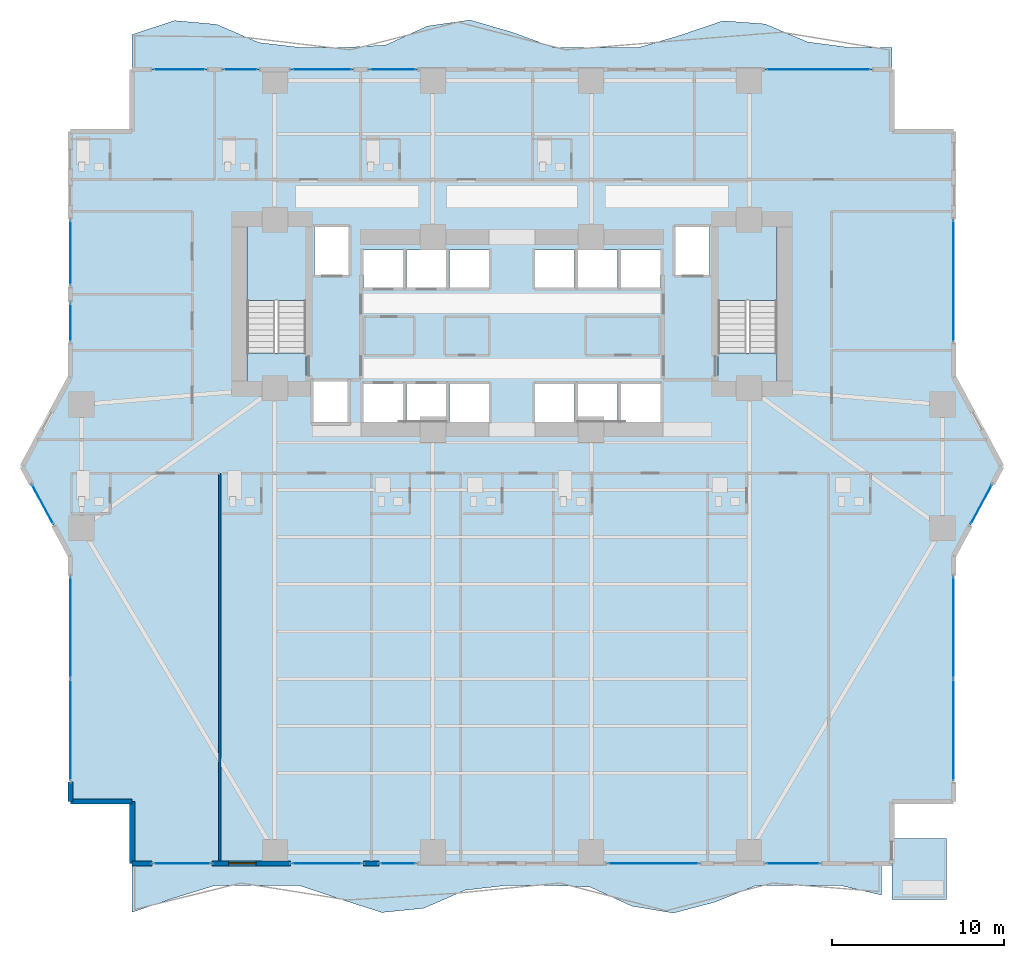
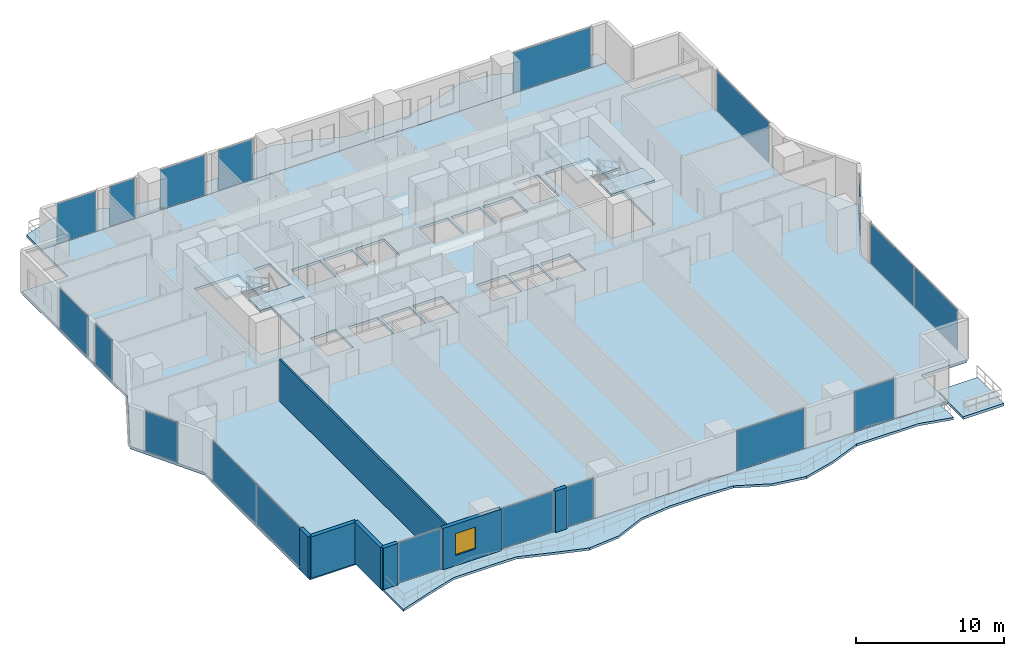
# One storey, part 17 of 29: 19 plates, 8 slabs, 7 walls, 1 window, 1 opening, 19 elements without a shape of their own.
"""IFC4 building model written with IfcOpenShell, lengths in metres."""

import ifcopenshell
import ifcopenshell.guid

model = None  # the IFC model being written
_history = None  # IfcOwnerHistory: only IFC2X3 demands one
_inside = {}  # id of a spatial element -> (the spatial element, [elements in it])
_under = {}  # id of a project, library or spatial element -> (it, [spatial elements below it])
_declared = {}  # id of a project -> (the project, [libraries it declares])
_typed = {}  # id of a type object -> (the type object, [elements of that type])
_made_of = {}  # id of a material, layer set ... -> (it, [elements and type objects made of it])


def new_model(schema):
    """Start an empty IFC model of exactly this schema.

    Asked for "IFC4X3", IfcOpenShell would pick the latest addendum, in which some entities
    have other attributes; the version numbers below select the first issue.
    IFC2X3 requires an IfcOwnerHistory on every rooted entity: one is made here for all.
    """
    global model, _history
    if schema == "IFC4X3":
        model = ifcopenshell.file(schema_version=(4, 3, 0, 0))
    else:
        model = ifcopenshell.file(schema=schema)
    _inside.clear()
    _under.clear()
    _declared.clear()
    _typed.clear()
    _made_of.clear()
    _history = None
    if model.schema == "IFC2X3":
        org = make("IfcOrganization", Name="unknown")
        user = make(
            "IfcPersonAndOrganization",
            ThePerson=make("IfcPerson", FamilyName="unknown"),
            TheOrganization=org,
        )
        app = make(
            "IfcApplication",
            ApplicationDeveloper=org,
            Version="unknown",
            ApplicationFullName="unknown",
            ApplicationIdentifier="unknown",
        )
        _history = make(
            "IfcOwnerHistory",
            OwningUser=user,
            OwningApplication=app,
            ChangeAction="ADDED",
            CreationDate=0,
        )
    return model


def make(cls, **values):
    """One entity of the class cls with the attributes given. An attribute that is None is left unset."""
    return model.create_entity(
        cls, **{name: value for name, value in values.items() if value is not None}
    )


def rooted(cls, **values):
    """An entity with a GlobalId (a new one), such as an element, a storey or a relation."""
    return make(cls, GlobalId=ifcopenshell.guid.new(), OwnerHistory=_history, **values)


def si_unit(unit_type, name, prefix=None):
    """IfcSIUnit, for example si_unit("LENGTHUNIT", "METRE", prefix="MILLI")."""
    return make("IfcSIUnit", UnitType=unit_type, Prefix=prefix, Name=name)


def assignment(units):
    """IfcUnitAssignment: the units of a project."""
    return None if units is None else make("IfcUnitAssignment", Units=units)


def point(xyz):
    """IfcCartesianPoint."""
    return None if xyz is None else make("IfcCartesianPoint", Coordinates=xyz)


def direction(xyz):
    """IfcDirection."""
    return None if xyz is None else make("IfcDirection", DirectionRatios=xyz)


def frame(location, z_axis=None, x_axis=None):
    """IfcAxis2Placement3D, a coordinate frame: its origin and axes. An axis left out is left unset."""
    return make(
        "IfcAxis2Placement3D",
        Location=point(location),
        Axis=direction(z_axis),
        RefDirection=direction(x_axis),
    )


def frame_2d(location, x_axis=None):
    """IfcAxis2Placement2D, a coordinate frame in the plane: its origin and x axis."""
    return make(
        "IfcAxis2Placement2D", Location=point(location), RefDirection=direction(x_axis)
    )


def origin():
    """The frame at (0, 0, 0) with its axes left unset."""
    return frame((0.0, 0.0, 0.0))


def origin_2d():
    """The frame at (0, 0) in the plane with its x axis left unset."""
    return frame_2d((0.0, 0.0))


def place(relative_to, where):
    """IfcLocalPlacement: puts the frame where relative to a parent placement (None: the world)."""
    return make(
        "IfcLocalPlacement", PlacementRelTo=relative_to, RelativePlacement=where
    )


def context(
    kind, dimensions, precision=None, world=None, true_north=None, identifier=None
):
    """IfcGeometricRepresentationContext, for example the 3D "Model" context."""
    return make(
        "IfcGeometricRepresentationContext",
        ContextIdentifier=identifier,
        ContextType=kind,
        CoordinateSpaceDimension=dimensions,
        Precision=precision,
        WorldCoordinateSystem=world,
        TrueNorth=true_north,
    )


def subcontext(parent, identifier, kind, view, scale=None):
    """IfcGeometricRepresentationSubContext, for example "Body" below "Model"."""
    return make(
        "IfcGeometricRepresentationSubContext",
        ContextIdentifier=identifier,
        ContextType=kind,
        ParentContext=parent,
        TargetScale=scale,
        TargetView=view,
    )


def project(units=None, contexts=None):
    """IfcProject with its units and contexts."""
    return rooted(
        "IfcProject",
        Name="project",
        RepresentationContexts=contexts,
        UnitsInContext=assignment(units),
    )


def spatial(cls, under=None, at=None, **own):
    """A site, building, storey or space (cls), placed at a placement, below another one or the project."""
    s = rooted(cls, ObjectPlacement=at, **own)
    if under is not None:
        _under.setdefault(under.id(), (under, []))[1].append(s)
    return s


def polyline(points):
    """IfcPolyline through the points."""
    return make("IfcPolyline", Points=[point(p) for p in points])


def profile(cls, at=None, kind="AREA", **sizes):
    """A parametric profile (cls). Its sizes go by their IFC names, for example OverallWidth=200.0."""
    return make(cls, ProfileType=kind, Position=at, **sizes)


def rectangle(**sizes):
    """IfcRectangleProfileDef."""
    return profile("IfcRectangleProfileDef", **sizes)


def outline(outer, holes=None, kind="AREA"):
    """IfcArbitraryClosedProfileDef: a profile drawn as a closed curve; with holes, ...WithVoids."""
    if holes is None:
        return make("IfcArbitraryClosedProfileDef", ProfileType=kind, OuterCurve=outer)
    return make(
        "IfcArbitraryProfileDefWithVoids",
        ProfileType=kind,
        OuterCurve=outer,
        InnerCurves=holes,
    )


def extrude(swept, where, along, depth):
    """IfcExtrudedAreaSolid: the profile swept, set in the frame where, extruded along a direction by depth."""
    return make(
        "IfcExtrudedAreaSolid",
        SweptArea=swept,
        Position=where,
        ExtrudedDirection=direction(along),
        Depth=depth,
    )


def shape(context_of_items, identifier, shape_type, items):
    """IfcShapeRepresentation: the items that make up one representation, for example the "Body"."""
    return make(
        "IfcShapeRepresentation",
        ContextOfItems=context_of_items,
        RepresentationIdentifier=identifier,
        RepresentationType=shape_type,
        Items=items,
    )


def material(Name=None, Category=None):
    """IfcMaterial."""
    return make("IfcMaterial", Name=Name, Category=Category)


def layer(
    of_material, thickness, ventilated=None, Name=None, Category=None, Priority=None
):
    """IfcMaterialLayer: one layer of a wall or slab, of a material (None: an air gap)."""
    return make(
        "IfcMaterialLayer",
        Material=of_material,
        LayerThickness=thickness,
        IsVentilated=ventilated,
        Name=Name,
        Category=Category,
        Priority=Priority,
    )


def layer_set(layers, Name=None):
    """IfcMaterialLayerSet."""
    return make("IfcMaterialLayerSet", MaterialLayers=layers, LayerSetName=Name)


def made_of(thing, what):
    """Note that an element or type object is made of a material, layer set ...; save() writes the relation."""
    if what is not None:
        _made_of.setdefault(what.id(), (what, []))[1].append(thing)
    return thing


def type_object(cls, material=None, **own):
    """A type object (cls), such as IfcWallType, which elements share."""
    return made_of(rooted(cls, **own), material)


def element(
    cls,
    number,
    at=None,
    inside=None,
    cuts=None,
    type_object=None,
    material=None,
    context=None,
    identifier="Body",
    shape_type=None,
    held_by="IfcProductDefinitionShape",
    body=None,
    shapes=None,
    **own,
):
    """One element of the class cls, such as IfcWall. Its Tag is "e" and its number.

    at: its placement. inside: the storey or other place that contains it. cuts: it is an
    opening in that element (IfcRelVoidsElement). A single representation is given by context,
    identifier, shape_type and body (its items); several are given by shapes. held_by: the class
    of the entity that holds the representations. save() writes the other relations.
    """
    e = rooted(cls, Tag="e%d" % number, ObjectPlacement=at, **own)
    if body is not None:
        shapes = [shape(context, identifier, shape_type, body)]
    if shapes is not None:
        e.Representation = make(held_by, Representations=shapes)
    if inside is not None:
        _inside.setdefault(inside.id(), (inside, []))[1].append(e)
    if cuts is not None:
        rooted(
            "IfcRelVoidsElement", RelatingBuildingElement=cuts, RelatedOpeningElement=e
        )
    if type_object is not None:
        _typed.setdefault(type_object.id(), (type_object, []))[1].append(e)
    return made_of(e, material)


def fill(opening, filler):
    """IfcRelFillsElement: the door or window that sits in an opening."""
    return rooted(
        "IfcRelFillsElement",
        RelatingOpeningElement=opening,
        RelatedBuildingElement=filler,
    )


def aggregate(whole, parts):
    """IfcRelAggregates: a whole, such as a stair, and the parts it consists of."""
    return rooted("IfcRelAggregates", RelatingObject=whole, RelatedObjects=parts)


def save(model, path):
    """Write the relations noted so far, then the file.

    IfcRelAggregates (storeys below a building ...), IfcRelContainedInSpatialStructure (elements
    in a storey), IfcRelDefinesByType, IfcRelAssociatesMaterial and IfcRelDeclares: one each for
    every whole, place, type object, material and project.
    """
    for whole, parts in _under.values():
        aggregate(whole, parts)
    for where, things in _inside.values():
        rooted(
            "IfcRelContainedInSpatialStructure",
            RelatedElements=things,
            RelatingStructure=where,
        )
    for kind, things in _typed.values():
        rooted("IfcRelDefinesByType", RelatedObjects=things, RelatingType=kind)
    for what, things in _made_of.values():
        rooted("IfcRelAssociatesMaterial", RelatedObjects=things, RelatingMaterial=what)
    for by, libraries in _declared.values():
        rooted("IfcRelDeclares", RelatingContext=by, RelatedDefinitions=libraries)
    model.write(path)


model = new_model("IFC4")

# Units and contexts
model_context = context("Model", 3, precision=1e-05, world=origin(), true_north=direction((0.0, 1.0)))
body_context = subcontext(model_context, "Body", "Model", "MODEL_VIEW")
ifc_project = project(units=[si_unit("LENGTHUNIT", "METRE"), si_unit("AREAUNIT", "SQUARE_METRE"), si_unit("VOLUMEUNIT", "CUBIC_METRE"), si_unit("PLANEANGLEUNIT", "RADIAN"), si_unit("MASSUNIT", "GRAM", prefix="KILO")], contexts=[model_context])

# Site, building, storey
site_placement = place(None, origin())
site = spatial("IfcSite", under=ifc_project, at=site_placement, CompositionType="ELEMENT")
building_placement = place(site_placement, origin())
building = spatial("IfcBuilding", under=site, at=building_placement, Name="Zuhayl Quay Hotel", CompositionType="ELEMENT")
storey_placement = place(building_placement, frame((0.0, 0.0, 42.199951171875)))
storey = spatial("IfcBuildingStorey", under=building, at=storey_placement, Name="L09", CompositionType="ELEMENT", Elevation=42.199951171875)

# Curtain wall, plates
ifc_material_1 = material(Name="Anodised Aluminium 6063-T6", Category="aluminium")
ifc_layer_1 = layer(ifc_material_1, 0.18994140625, Name="Anodised Aluminium 6063-T6", Category="aluminium")
ifc_layer_set_1 = layer_set([ifc_layer_1], Name="Anodised Aluminium 6063-T6")
curtain_wall_type = type_object("IfcCurtainWallType", Name="CW_SYS_Z1", PredefinedType="USERDEFINED", material=ifc_layer_set_1)
curtain_wall_1_placement = place(storey_placement, origin())
curtain_wall_1 = element("IfcCurtainWall", 1, at=curtain_wall_1_placement, inside=storey, type_object=curtain_wall_type, Name="L09 Curtain Wall ENV_L09_E02_CW1", ObjectType="UNITISED CURTAIN WALL", PredefinedType="USERDEFINED")
ifc_material_2 = material(Name="Dark Ceramic-Fritted Solar Glass", Category="glass")
ifc_layer_2 = layer(ifc_material_2, 0.035888671875, Name="Dark Ceramic-Fritted Solar Glass", Category="glass")
ifc_layer_set_2 = layer_set([ifc_layer_2], Name="Dark Ceramic-Fritted Solar Glass")
plate_type = type_object("IfcPlateType", Name="PN_DARK_FRIT_Z1", PredefinedType="CURTAIN_PANEL", material=ifc_layer_set_2)
plate_1_placement = place(storey_placement, frame((-25.699951171875, -15.331298828125, 0.06005859375), z_axis=(0.0, 0.0, 1.0), x_axis=(0.0, 1.0, 0.0)))
plate_1 = element("IfcPlate", 2, at=plate_1_placement, type_object=plate_type, Name="CW-Z1 panel 1.1", PredefinedType="CURTAIN_PANEL", context=body_context, shape_type="SweptSolid", body=[
    extrude(rectangle(XDim=5.887451171875, YDim=0.035888671875, at=origin_2d()), origin(), (0.0, 0.0, 1.0), 3.31005859375),
])
plate_2_placement = place(storey_placement, frame((-25.699951171875, -9.36865234375, 0.06005859375), z_axis=(0.0, 0.0, 1.0), x_axis=(0.0, 1.0, 0.0)))
plate_2 = element("IfcPlate", 3, at=plate_2_placement, type_object=plate_type, Name="CW-Z1 panel 2.1", PredefinedType="CURTAIN_PANEL", context=body_context, shape_type="SweptSolid", body=[
    extrude(rectangle(XDim=5.887451171875, YDim=0.035888671875, at=origin_2d()), origin(), (0.0, 0.0, 1.0), 3.31005859375),
])
aggregate(curtain_wall_1, [plate_1, plate_2])

# Curtain wall, plate
curtain_wall_2_placement = place(storey_placement, origin())
curtain_wall_2 = element("IfcCurtainWall", 4, at=curtain_wall_2_placement, inside=storey, type_object=curtain_wall_type, Name="L09 Curtain Wall ENV_L09_E03_CW1", ObjectType="UNITISED CURTAIN WALL", PredefinedType="USERDEFINED")
plate_3_placement = place(storey_placement, frame((-27.306396484375, -2.216796875, 0.06005859375), z_axis=(0.0, 0.0, 1.0), x_axis=(-0.474091102632, 0.880475795468, 0.0)))
plate_3 = element("IfcPlate", 5, at=plate_3_placement, type_object=plate_type, Name="CW-Z1 panel 1.1", PredefinedType="CURTAIN_PANEL", context=body_context, shape_type="SweptSolid", body=[
    extrude(rectangle(XDim=2.58544921875, YDim=0.035888671875, at=origin_2d()), origin(), (0.0, 0.0, 1.0), 3.31005859375),
])
aggregate(curtain_wall_2, [plate_3])

curtain_wall_3_placement = place(storey_placement, origin())
curtain_wall_3 = element("IfcCurtainWall", 6, at=curtain_wall_3_placement, inside=storey, type_object=curtain_wall_type, Name="L09 Curtain Wall ENV_L09_E05_CW1", ObjectType="UNITISED CURTAIN WALL", PredefinedType="USERDEFINED")
plate_4_placement = place(storey_placement, frame((-25.699951171875, 8.385009765625, 0.06005859375), z_axis=(0.0, 0.0, 1.0), x_axis=(0.0, 1.0, 0.0)))
plate_4 = element("IfcPlate", 7, at=plate_4_placement, type_object=plate_type, Name="CW-Z1 panel 1.1", PredefinedType="CURTAIN_PANEL", context=body_context, shape_type="SweptSolid", body=[
    extrude(rectangle(XDim=2.219970703125, YDim=0.035888671875, at=origin_2d()), origin(), (0.0, 0.0, 1.0), 3.31005859375),
])
aggregate(curtain_wall_3, [plate_4])

curtain_wall_4_placement = place(storey_placement, origin())
curtain_wall_4 = element("IfcCurtainWall", 8, at=curtain_wall_4_placement, inside=storey, type_object=curtain_wall_type, Name="L09 Curtain Wall ENV_L09_E05_CW2", ObjectType="UNITISED CURTAIN WALL", PredefinedType="USERDEFINED")
plate_5_placement = place(storey_placement, frame((-25.699951171875, 12.43505859375, 0.06005859375), z_axis=(0.0, 0.0, 1.0), x_axis=(0.0, 1.0, 0.0)))
plate_5 = element("IfcPlate", 9, at=plate_5_placement, type_object=plate_type, Name="CW-Z1 panel 1.1", PredefinedType="CURTAIN_PANEL", context=body_context, shape_type="SweptSolid", body=[
    extrude(rectangle(XDim=3.780029296875, YDim=0.035888671875, at=origin_2d()), origin(), (0.0, 0.0, 1.0), 3.31005859375),
])
aggregate(curtain_wall_4, [plate_5])

curtain_wall_5_placement = place(storey_placement, origin())
curtain_wall_5 = element("IfcCurtainWall", 10, at=curtain_wall_5_placement, inside=storey, type_object=curtain_wall_type, Name="L09 Curtain Wall ENV_L09_N_CW1", ObjectType="UNITISED CURTAIN WALL", PredefinedType="USERDEFINED")
plate_6_placement = place(storey_placement, frame((-19.35009765625, 23.10009765625, 0.06005859375), z_axis=(0.0, 0.0, 1.0), x_axis=(1.0, 0.0, 0.0)))
plate_6 = element("IfcPlate", 11, at=plate_6_placement, type_object=plate_type, Name="CW-Z1 panel 1.1", PredefinedType="CURTAIN_PANEL", context=body_context, shape_type="SweptSolid", body=[
    extrude(rectangle(XDim=3.050048828125, YDim=0.035888671875, at=origin_2d()), origin(), (0.0, 0.0, 1.0), 3.31005859375),
])
aggregate(curtain_wall_5, [plate_6])

curtain_wall_6_placement = place(storey_placement, origin())
curtain_wall_6 = element("IfcCurtainWall", 12, at=curtain_wall_6_placement, inside=storey, type_object=curtain_wall_type, Name="L09 Curtain Wall ENV_L09_N_CW2", ObjectType="UNITISED CURTAIN WALL", PredefinedType="USERDEFINED")
plate_7_placement = place(storey_placement, frame((-15.784912109375, 23.10009765625, 0.06005859375), z_axis=(0.0, 0.0, 1.0), x_axis=(1.0, 0.0, 0.0)))
plate_7 = element("IfcPlate", 13, at=plate_7_placement, type_object=plate_type, Name="CW-Z1 panel 1.1", PredefinedType="CURTAIN_PANEL", context=body_context, shape_type="SweptSolid", body=[
    extrude(rectangle(XDim=1.97998046875, YDim=0.035888671875, at=origin_2d()), origin(), (0.0, 0.0, 1.0), 3.31005859375),
])
aggregate(curtain_wall_6, [plate_7])

curtain_wall_7_placement = place(storey_placement, origin())
curtain_wall_7 = element("IfcCurtainWall", 14, at=curtain_wall_7_placement, inside=storey, type_object=curtain_wall_type, Name="L09 Curtain Wall ENV_L09_N_CW3", ObjectType="UNITISED CURTAIN WALL", PredefinedType="USERDEFINED")
plate_8_placement = place(storey_placement, frame((-11.06494140625, 23.10009765625, 0.06005859375), z_axis=(0.0, 0.0, 1.0), x_axis=(1.0, 0.0, 0.0)))
plate_8 = element("IfcPlate", 15, at=plate_8_placement, type_object=plate_type, Name="CW-Z1 panel 1.1", PredefinedType="CURTAIN_PANEL", context=body_context, shape_type="SweptSolid", body=[
    extrude(rectangle(XDim=3.47998046875, YDim=0.035888671875, at=origin_2d()), origin(), (0.0, 0.0, 1.0), 3.31005859375),
])
aggregate(curtain_wall_7, [plate_8])

curtain_wall_8_placement = place(storey_placement, origin())
curtain_wall_8 = element("IfcCurtainWall", 16, at=curtain_wall_8_placement, inside=storey, type_object=curtain_wall_type, Name="L09 Curtain Wall ENV_L09_N_CW4", ObjectType="UNITISED CURTAIN WALL", PredefinedType="USERDEFINED")
plate_9_placement = place(storey_placement, frame((-6.93505859375, 23.10009765625, 0.06005859375), z_axis=(0.0, 0.0, 1.0), x_axis=(1.0, 0.0, 0.0)))
plate_9 = element("IfcPlate", 17, at=plate_9_placement, type_object=plate_type, Name="CW-Z1 panel 1.1", PredefinedType="CURTAIN_PANEL", context=body_context, shape_type="SweptSolid", body=[
    extrude(rectangle(XDim=2.679931640625, YDim=0.035888671875, at=origin_2d()), origin(), (0.0, 0.0, 1.0), 3.31005859375),
])
aggregate(curtain_wall_8, [plate_9])

curtain_wall_9_placement = place(storey_placement, origin())
curtain_wall_9 = element("IfcCurtainWall", 18, at=curtain_wall_9_placement, inside=storey, type_object=curtain_wall_type, Name="L09 Curtain Wall ENV_L09_N_CW5", ObjectType="UNITISED CURTAIN WALL", PredefinedType="USERDEFINED")
plate_10_placement = place(storey_placement, frame((17.8349609375, 23.10009765625, 0.06005859375), z_axis=(0.0, 0.0, 1.0), x_axis=(1.0, 0.0, 0.0)))
plate_10 = element("IfcPlate", 19, at=plate_10_placement, type_object=plate_type, Name="CW-Z1 panel 1.1", PredefinedType="CURTAIN_PANEL", context=body_context, shape_type="SweptSolid", body=[
    extrude(rectangle(XDim=6.080078125, YDim=0.035888671875, at=origin_2d()), origin(), (0.0, 0.0, 1.0), 3.31005859375),
])
aggregate(curtain_wall_9, [plate_10])

curtain_wall_10_placement = place(storey_placement, origin())
curtain_wall_10 = element("IfcCurtainWall", 20, at=curtain_wall_10_placement, inside=storey, type_object=curtain_wall_type, Name="L09 Curtain Wall ENV_L09_E11_CW1", ObjectType="UNITISED CURTAIN WALL", PredefinedType="USERDEFINED")
plate_11_placement = place(storey_placement, frame((25.699951171875, 10.800048828125, 0.06005859375), z_axis=(0.0, 0.0, 1.0), x_axis=(0.0, -1.0, 0.0)))
plate_11 = element("IfcPlate", 21, at=plate_11_placement, type_object=plate_type, Name="CW-Z1 panel 1.1", PredefinedType="CURTAIN_PANEL", context=body_context, shape_type="SweptSolid", body=[
    extrude(rectangle(XDim=7.050048828125, YDim=0.035888671875, at=origin_2d()), origin(), (0.0, 0.0, 1.0), 3.31005859375),
])
aggregate(curtain_wall_10, [plate_11])

curtain_wall_11_placement = place(storey_placement, origin())
curtain_wall_11 = element("IfcCurtainWall", 22, at=curtain_wall_11_placement, inside=storey, type_object=curtain_wall_type, Name="L09 Curtain Wall ENV_L09_E13_CW1", ObjectType="UNITISED CURTAIN WALL", PredefinedType="USERDEFINED")
plate_12_placement = place(storey_placement, frame((27.306396484375, -2.216796875, 0.06005859375), z_axis=(0.0, 0.0, 1.0), x_axis=(-0.474091102632, -0.880475795468, 0.0)))
plate_12 = element("IfcPlate", 23, at=plate_12_placement, type_object=plate_type, Name="CW-Z1 panel 1.1", PredefinedType="CURTAIN_PANEL", context=body_context, shape_type="SweptSolid", body=[
    extrude(rectangle(XDim=2.58544921875, YDim=0.035888671875, at=origin_2d()), origin(), (0.0, 0.0, 1.0), 3.31005859375),
])
aggregate(curtain_wall_11, [plate_12])

# Curtain wall, plates
curtain_wall_12_placement = place(storey_placement, origin())
curtain_wall_12 = element("IfcCurtainWall", 24, at=curtain_wall_12_placement, inside=storey, type_object=curtain_wall_type, Name="L09 Curtain Wall ENV_L09_E14_CW1", ObjectType="UNITISED CURTAIN WALL", PredefinedType="USERDEFINED")
plate_13_placement = place(storey_placement, frame((25.699951171875, -9.36865234375, 0.06005859375), z_axis=(0.0, 0.0, 1.0), x_axis=(0.0, -1.0, 0.0)))
plate_13 = element("IfcPlate", 25, at=plate_13_placement, type_object=plate_type, Name="CW-Z1 panel 1.1", PredefinedType="CURTAIN_PANEL", context=body_context, shape_type="SweptSolid", body=[
    extrude(rectangle(XDim=5.887451171875, YDim=0.035888671875, at=origin_2d()), origin(), (0.0, 0.0, 1.0), 3.31005859375),
])
plate_14_placement = place(storey_placement, frame((25.699951171875, -15.331298828125, 0.06005859375), z_axis=(0.0, 0.0, 1.0), x_axis=(0.0, -1.0, 0.0)))
plate_14 = element("IfcPlate", 26, at=plate_14_placement, type_object=plate_type, Name="CW-Z1 panel 2.1", PredefinedType="CURTAIN_PANEL", context=body_context, shape_type="SweptSolid", body=[
    extrude(rectangle(XDim=5.887451171875, YDim=0.035888671875, at=origin_2d()), origin(), (0.0, 0.0, 1.0), 3.31005859375),
])
aggregate(curtain_wall_12, [plate_13, plate_14])

# Curtain wall, plate
curtain_wall_13_placement = place(storey_placement, origin())
curtain_wall_13 = element("IfcCurtainWall", 27, at=curtain_wall_13_placement, inside=storey, type_object=curtain_wall_type, Name="L09 Curtain Wall ENV_L09_S_CW1", ObjectType="UNITISED CURTAIN WALL", PredefinedType="USERDEFINED")
plate_15_placement = place(storey_placement, frame((16.35498046875, -23.10009765625, 0.06005859375), z_axis=(0.0, 0.0, 1.0), x_axis=(-1.0, 0.0, 0.0)))
plate_15 = element("IfcPlate", 28, at=plate_15_placement, type_object=plate_type, Name="CW-Z1 panel 1.1", PredefinedType="CURTAIN_PANEL", context=body_context, shape_type="SweptSolid", body=[
    extrude(rectangle(XDim=3.1201171875, YDim=0.035888671875, at=origin_2d()), origin(), (0.0, 0.0, 1.0), 3.31005859375),
])
aggregate(curtain_wall_13, [plate_15])

curtain_wall_14_placement = place(storey_placement, origin())
curtain_wall_14 = element("IfcCurtainWall", 29, at=curtain_wall_14_placement, inside=storey, type_object=curtain_wall_type, Name="L09 Curtain Wall ENV_L09_S_CW2", ObjectType="UNITISED CURTAIN WALL", PredefinedType="USERDEFINED")
plate_16_placement = place(storey_placement, frame((8.235107421875, -23.10009765625, 0.06005859375), z_axis=(0.0, 0.0, 1.0), x_axis=(-1.0, 0.0, 0.0)))
plate_16 = element("IfcPlate", 30, at=plate_16_placement, type_object=plate_type, Name="CW-Z1 panel 1.1", PredefinedType="CURTAIN_PANEL", context=body_context, shape_type="SweptSolid", body=[
    extrude(rectangle(XDim=5.280029296875, YDim=0.035888671875, at=origin_2d()), origin(), (0.0, 0.0, 1.0), 3.31005859375),
])
aggregate(curtain_wall_14, [plate_16])

curtain_wall_15_placement = place(storey_placement, origin())
curtain_wall_15 = element("IfcCurtainWall", 31, at=curtain_wall_15_placement, inside=storey, type_object=curtain_wall_type, Name="L09 Curtain Wall ENV_L09_S_CW3", ObjectType="UNITISED CURTAIN WALL", PredefinedType="USERDEFINED")
plate_17_placement = place(storey_placement, frame((-6.635009765625, -23.10009765625, 0.06005859375), z_axis=(0.0, 0.0, 1.0), x_axis=(-1.0, 0.0, 0.0)))
plate_17 = element("IfcPlate", 32, at=plate_17_placement, type_object=plate_type, Name="CW-Z1 panel 1.1", PredefinedType="CURTAIN_PANEL", context=body_context, shape_type="SweptSolid", body=[
    extrude(rectangle(XDim=2.080078125, YDim=0.035888671875, at=origin_2d()), origin(), (0.0, 0.0, 1.0), 3.31005859375),
])
aggregate(curtain_wall_15, [plate_17])

curtain_wall_16_placement = place(storey_placement, origin())
curtain_wall_16 = element("IfcCurtainWall", 33, at=curtain_wall_16_placement, inside=storey, type_object=curtain_wall_type, Name="L09 Curtain Wall ENV_L09_S_CW4", ObjectType="UNITISED CURTAIN WALL", PredefinedType="USERDEFINED")
plate_18_placement = place(storey_placement, frame((-10.764892578125, -23.10009765625, 0.06005859375), z_axis=(0.0, 0.0, 1.0), x_axis=(-1.0, 0.0, 0.0)))
plate_18 = element("IfcPlate", 34, at=plate_18_placement, type_object=plate_type, Name="CW-Z1 panel 1.1", PredefinedType="CURTAIN_PANEL", context=body_context, shape_type="SweptSolid", body=[
    extrude(rectangle(XDim=4.080078125, YDim=0.035888671875, at=origin_2d()), origin(), (0.0, 0.0, 1.0), 3.31005859375),
])
aggregate(curtain_wall_16, [plate_18])

curtain_wall_17_placement = place(storey_placement, origin())
curtain_wall_17 = element("IfcCurtainWall", 35, at=curtain_wall_17_placement, inside=storey, type_object=curtain_wall_type, Name="L09 Curtain Wall ENV_L09_S_CW5", ObjectType="UNITISED CURTAIN WALL", PredefinedType="USERDEFINED")
plate_19_placement = place(storey_placement, frame((-19.199951171875, -23.10009765625, 0.06005859375), z_axis=(0.0, 0.0, 1.0), x_axis=(-1.0, 0.0, 0.0)))
plate_19 = element("IfcPlate", 36, at=plate_19_placement, type_object=plate_type, Name="CW-Z1 panel 1.1", PredefinedType="CURTAIN_PANEL", context=body_context, shape_type="SweptSolid", body=[
    extrude(rectangle(XDim=3.35009765625, YDim=0.035888671875, at=origin_2d()), origin(), (0.0, 0.0, 1.0), 3.31005859375),
])
aggregate(curtain_wall_17, [plate_19])

# Slabs
ifc_material_3 = material(Name="Concrete C45/55", Category="concrete")
ifc_layer_3 = layer(ifc_material_3, 0.195068359375, Name="Concrete C45/55", Category="concrete")
ifc_layer_set_3 = layer_set([ifc_layer_3], Name="Concrete C45/55")
slab_type_1 = type_object("IfcSlabType", Name="SL_BALCONY_195", PredefinedType="FLOOR", material=ifc_layer_set_3)
slab_1_placement = place(storey_placement, frame((0.0, 0.0, -0.195068359375)))
element("IfcSlab", 37, at=slab_1_placement, inside=storey, type_object=slab_type_1, Name="L09 Exterior Rippling Balcony Slab North", PredefinedType="FLOOR", context=body_context, shape_type="SweptSolid", body=[
    extrude(outline(polyline([(-22.10009765625, 23.10009765625), (22.10009765625, 23.10009765625), (22.10009765625, 24.3798828125), (19.644287109375, 24.3798828125), (17.18896484375, 24.706298828125), (14.7333984375, 25.751708984375), (12.27783203125, 25.935302734375), (9.822265625, 25.099853515625), (7.36669921875, 24.3798828125), (4.9111328125, 24.3798828125), (2.45556640625, 24.3798828125), (0.0, 25.273193359375), (-2.45556640625, 25.98095703125), (-4.9111328125, 25.6298828125), (-7.36669921875, 24.522216796875), (-9.822265625, 24.3798828125), (-12.27783203125, 24.3798828125), (-14.7333984375, 24.668212890625), (-17.18896484375, 25.728271484375), (-19.644287109375, 25.947021484375), (-22.10009765625, 25.13623046875), (-22.10009765625, 23.10009765625)])), origin(), (0.0, 0.0, 1.0), 0.195068359375),
])
slab_2_placement = place(storey_placement, frame((0.0, 0.0, -0.195068359375)))
element("IfcSlab", 38, at=slab_2_placement, inside=storey, type_object=slab_type_1, Name="L09 Exterior Rippling Balcony Slab South", PredefinedType="FLOOR", context=body_context, shape_type="SweptSolid", body=[
    extrude(outline(polyline([(-22.10009765625, -25.938720703125), (-19.677734375, -25.1259765625), (-17.255615234375, -24.3798828125), (-14.833251953125, -24.3798828125), (-12.4111328125, -24.3798828125), (-9.989013671875, -25.187744140625), (-7.566650390625, -25.95751953125), (-5.144287109375, -25.714599609375), (-2.72216796875, -24.662841796875), (-0.300048828125, -24.3798828125), (2.122314453125, -24.3798828125), (4.54443359375, -24.4794921875), (6.966796875, -25.58642578125), (9.388916015625, -25.991943359375), (11.81103515625, -25.35595703125), (14.2333984375, -24.3798828125), (16.655517578125, -24.3798828125), (19.077880859375, -24.3798828125), (21.5, -24.945556640625), (21.5, -23.10009765625), (-22.10009765625, -23.10009765625), (-22.10009765625, -25.938720703125)])), origin(), (0.0, 0.0, 1.0), 0.195068359375),
])
ifc_layer_4 = layer(ifc_material_3, 0.219970703125, Name="Concrete C45/55", Category="concrete")
ifc_layer_set_4 = layer_set([ifc_layer_4], Name="Concrete C45/55")
slab_type_2 = type_object("IfcSlabType", Name="SL_FLOOR_220", PredefinedType="FLOOR", material=ifc_layer_set_4)
slab_3_placement = place(storey_placement, frame((0.0, 0.0, -0.219970703125)))
element("IfcSlab", 39, at=slab_3_placement, inside=storey, type_object=slab_type_2, Name="L09 Structural Floor Slab", PredefinedType="FLOOR", context=body_context, shape_type="SweptSolid", body=[
    extrude(outline(polyline([(-22.10009765625, -23.10009765625), (22.10009765625, -23.10009765625), (22.10009765625, -19.5), (25.699951171875, -19.5), (25.699951171875, -5.199951171875), (28.5, 0.0), (25.699951171875, 5.199951171875), (25.699951171875, 19.5), (22.10009765625, 19.5), (22.10009765625, 23.10009765625), (-22.10009765625, 23.10009765625), (-22.10009765625, 19.5), (-25.699951171875, 19.5), (-25.699951171875, 5.199951171875), (-28.5, 0.0), (-25.699951171875, -5.199951171875), (-25.699951171875, -19.5), (-22.10009765625, -19.5), (-22.10009765625, -23.10009765625)]), holes=[polyline([(-12.0, 4.949951171875), (-12.0, 13.949951171875), (-15.429931640625, 13.949951171875), (-15.429931640625, 4.949951171875), (-12.0, 4.949951171875)]), polyline([(15.429931640625, 4.949951171875), (15.429931640625, 13.949951171875), (12.0, 13.949951171875), (12.0, 4.949951171875), (15.429931640625, 4.949951171875)]), polyline([(-11.5, 11.14990234375), (-9.5, 11.14990234375), (-9.5, 13.949951171875), (-11.5, 13.949951171875), (-11.5, 11.14990234375)]), polyline([(9.5, 11.14990234375), (11.5, 11.14990234375), (11.5, 13.949951171875), (9.5, 13.949951171875), (9.5, 11.14990234375)]), polyline([(-8.64990234375, 2.60009765625), (-6.35009765625, 2.60009765625), (-6.35009765625, 4.800048828125), (-8.64990234375, 4.800048828125), (-8.64990234375, 2.60009765625)]), polyline([(-6.14990234375, 2.60009765625), (-3.85009765625, 2.60009765625), (-3.85009765625, 4.800048828125), (-6.14990234375, 4.800048828125), (-6.14990234375, 2.60009765625)]), polyline([(-8.64990234375, 10.39990234375), (-6.35009765625, 10.39990234375), (-6.35009765625, 12.60009765625), (-8.64990234375, 12.60009765625), (-8.64990234375, 10.39990234375)]), polyline([(-6.14990234375, 10.39990234375), (-3.85009765625, 10.39990234375), (-3.85009765625, 12.60009765625), (-6.14990234375, 12.60009765625), (-6.14990234375, 10.39990234375)]), polyline([(-3.64990234375, 2.60009765625), (-1.35009765625, 2.60009765625), (-1.35009765625, 4.800048828125), (-3.64990234375, 4.800048828125), (-3.64990234375, 2.60009765625)]), polyline([(1.35009765625, 2.60009765625), (3.64990234375, 2.60009765625), (3.64990234375, 4.800048828125), (1.35009765625, 4.800048828125), (1.35009765625, 2.60009765625)]), polyline([(-3.64990234375, 10.39990234375), (-1.35009765625, 10.39990234375), (-1.35009765625, 12.60009765625), (-3.64990234375, 12.60009765625), (-3.64990234375, 10.39990234375)]), polyline([(1.35009765625, 10.39990234375), (3.64990234375, 10.39990234375), (3.64990234375, 12.60009765625), (1.35009765625, 12.60009765625), (1.35009765625, 10.39990234375)]), polyline([(3.85009765625, 2.60009765625), (6.14990234375, 2.60009765625), (6.14990234375, 4.800048828125), (3.85009765625, 4.800048828125), (3.85009765625, 2.60009765625)]), polyline([(6.35009765625, 2.60009765625), (8.64990234375, 2.60009765625), (8.64990234375, 4.800048828125), (6.35009765625, 4.800048828125), (6.35009765625, 2.60009765625)]), polyline([(3.85009765625, 10.39990234375), (6.14990234375, 10.39990234375), (6.14990234375, 12.60009765625), (3.85009765625, 12.60009765625), (3.85009765625, 10.39990234375)]), polyline([(6.35009765625, 10.39990234375), (8.64990234375, 10.39990234375), (8.64990234375, 12.60009765625), (6.35009765625, 12.60009765625), (6.35009765625, 10.39990234375)]), polyline([(-11.550048828125, 2.550048828125), (-9.550048828125, 2.550048828125), (-9.550048828125, 4.949951171875), (-11.550048828125, 4.949951171875), (-11.550048828125, 2.550048828125)])]), origin(), (0.0, 0.0, 1.0), 0.219970703125),
])

# Stair, slabs
stair_type = type_object("IfcStairType", Name="ST_DOGLEG_TOWER", PredefinedType="HALF_TURN_STAIR", material=ifc_material_3)
stair_1_placement = place(storey_placement, origin())
stair_1 = element("IfcStair", 40, at=stair_1_placement, inside=storey, type_object=stair_type, Name="L09 Smokeproof Exit Stair ST1", PredefinedType="HALF_TURN_STAIR")
ifc_layer_5 = layer(ifc_material_3, 0.199951171875, Name="Concrete C45/55", Category="concrete")
ifc_layer_set_5 = layer_set([ifc_layer_5], Name="Concrete C45/55")
slab_type_3 = type_object("IfcSlabType", Name="SL_STAIR_LANDING_200", PredefinedType="LANDING", material=ifc_layer_set_5)
slab_4_placement = place(storey_placement, frame((0.0, 0.0, 1.625)))
slab_4 = element("IfcSlab", 41, at=slab_4_placement, type_object=slab_type_3, Name="ST1 landing 1", PredefinedType="LANDING", context=body_context, shape_type="SweptSolid", body=[
    extrude(outline(polyline([(-12.0, 9.64990234375), (-12.0, 13.949951171875), (-15.429931640625, 13.949951171875), (-15.429931640625, 9.64990234375), (-12.0, 9.64990234375)])), origin(), (0.0, 0.0, 1.0), 0.199951171875),
])
slab_5_placement = place(storey_placement, frame((0.0, 0.0, 3.449951171875)))
slab_5 = element("IfcSlab", 42, at=slab_5_placement, type_object=slab_type_3, Name="ST1 landing 2", PredefinedType="LANDING", context=body_context, shape_type="SweptSolid", body=[
    extrude(outline(polyline([(-12.0, 4.949951171875), (-12.0, 6.590087890625), (-15.429931640625, 6.590087890625), (-15.429931640625, 4.949951171875), (-12.0, 4.949951171875)])), origin(), (0.0, 0.0, 1.0), 0.2001953125),
])
aggregate(stair_1, [slab_4, slab_5])

stair_2_placement = place(storey_placement, origin())
stair_2 = element("IfcStair", 43, at=stair_2_placement, inside=storey, type_object=stair_type, Name="L09 Smokeproof Exit Stair ST2", PredefinedType="HALF_TURN_STAIR")
slab_6_placement = place(storey_placement, frame((0.0, 0.0, 1.625)))
slab_6 = element("IfcSlab", 44, at=slab_6_placement, type_object=slab_type_3, Name="ST2 landing 1", PredefinedType="LANDING", context=body_context, shape_type="SweptSolid", body=[
    extrude(outline(polyline([(15.429931640625, 9.64990234375), (15.429931640625, 13.949951171875), (12.0, 13.949951171875), (12.0, 9.64990234375), (15.429931640625, 9.64990234375)])), origin(), (0.0, 0.0, 1.0), 0.199951171875),
])
slab_7_placement = place(storey_placement, frame((0.0, 0.0, 3.449951171875)))
slab_7 = element("IfcSlab", 45, at=slab_7_placement, type_object=slab_type_3, Name="ST2 landing 2", PredefinedType="LANDING", context=body_context, shape_type="SweptSolid", body=[
    extrude(outline(polyline([(15.429931640625, 4.949951171875), (15.429931640625, 6.590087890625), (12.0, 6.590087890625), (12.0, 4.949951171875), (15.429931640625, 4.949951171875)])), origin(), (0.0, 0.0, 1.0), 0.2001953125),
])
aggregate(stair_2, [slab_6, slab_7])

# Slab
ifc_layer_6 = layer(ifc_material_3, 0.219970703125, Name="Concrete C45/55", Category="concrete")
ifc_layer_set_6 = layer_set([ifc_layer_6], Name="Concrete C45/55")
slab_type_4 = type_object("IfcSlabType", Name="SL_TERRACE_235", PredefinedType="FLOOR", material=ifc_layer_set_6)
slab_8_placement = place(storey_placement, frame((0.0, 0.0, -0.219970703125)))
element("IfcSlab", 46, at=slab_8_placement, inside=storey, type_object=slab_type_4, Name="L09 Exterior Sky-Terrace Slab L09_SPIRAL_SE", PredefinedType="FLOOR", context=body_context, shape_type="SweptSolid", body=[
    extrude(outline(polyline([(22.10009765625, -25.199951171875), (25.300048828125, -25.199951171875), (25.300048828125, -21.64990234375), (22.10009765625, -21.64990234375), (22.10009765625, -25.199951171875)])), origin(), (0.0, 0.0, 1.0), 0.219970703125),
])

# Walls
ifc_material_4 = material(Name="Precast concrete C45/55", Category="concrete")
ifc_layer_7 = layer(ifc_material_4, 0.300048828125, Name="Precast concrete C45/55", Category="concrete")
ifc_layer_set_7 = layer_set([ifc_layer_7], Name="Precast concrete C45/55")
wall_type_1 = type_object("IfcWallType", Name="WL_EXT_300", PredefinedType="STANDARD", material=ifc_layer_set_7)
wall_1_placement = place(storey_placement, frame((-22.10009765625, -19.5, 0.0), z_axis=(0.0, 0.0, 1.0), x_axis=(-1.0, 0.0, 0.0)))
element("IfcWall", 47, at=wall_1_placement, inside=storey, type_object=wall_type_1, Name="L09 Exterior Precast Wall ENV_L09_EW01", PredefinedType="STANDARD", context=body_context, shape_type="SweptSolid", body=[
    extrude(rectangle(XDim=3.599853515625, YDim=0.300048828125, at=frame_2d((1.7998046875, 0.0))), origin(), (0.0, 0.0, 1.0), 3.429931640625),
])
wall_2_placement = place(storey_placement, frame((-25.699951171875, -19.5, 0.0), z_axis=(0.0, 0.0, 1.0), x_axis=(0.0, 1.0, 0.0)))
element("IfcWall", 48, at=wall_2_placement, inside=storey, type_object=wall_type_1, Name="L09 Exterior Precast Wall ENV_L09_E02_EW1", PredefinedType="STANDARD", context=body_context, shape_type="SweptSolid", body=[
    extrude(rectangle(XDim=1.14990234375, YDim=0.300048828125, at=frame_2d((0.574951171875, 0.0))), origin(), (0.0, 0.0, 1.0), 3.429931640625),
])
wall_3_placement = place(storey_placement, frame((-7.75, -23.10009765625, 0.0), z_axis=(0.0, 0.0, 1.0), x_axis=(-1.0, 0.0, 0.0)))
element("IfcWall", 49, at=wall_3_placement, inside=storey, type_object=wall_type_1, Name="L09 Exterior Precast Wall ENV_L09_S_EW4", PredefinedType="STANDARD", context=body_context, shape_type="SweptSolid", body=[
    extrude(rectangle(XDim=0.89990234375, YDim=0.300048828125, at=frame_2d((0.449951171875, 0.0))), origin(), (0.0, 0.0, 1.0), 3.429931640625),
])

# Wall, opening, window
wall_4_placement = place(storey_placement, frame((-12.8798828125, -23.10009765625, 0.0), z_axis=(0.0, 0.0, 1.0), x_axis=(-1.0, 0.0, 0.0)))
wall_4 = element("IfcWall", 50, at=wall_4_placement, inside=storey, type_object=wall_type_1, Name="L09 Exterior Precast Wall ENV_L09_S_EW5", PredefinedType="STANDARD", context=body_context, shape_type="SweptSolid", body=[
    extrude(rectangle(XDim=4.570068359375, YDim=0.300048828125, at=frame_2d((2.28515625, 0.0))), origin(), (0.0, 0.0, 1.0), 3.429931640625),
])
opening_placement = place(wall_4_placement, frame((2.010009765625, 0.0, 0.85009765625)))
opening = element("IfcOpeningElement", 51, at=opening_placement, cuts=wall_4, Name="Opening W01", PredefinedType="OPENING", context=body_context, shape_type="SweptSolid", body=[
    extrude(rectangle(XDim=1.60009765625, YDim=1.800048828125, at=frame_2d((0.800048828125, 0.89990234375))), frame((0.0, 0.159912109375, 0.0), z_axis=(0.0, -1.0, 0.0), x_axis=(1.0, 0.0, 0.0)), (0.0, 0.0, 1.0), 0.320068359375),
])
window_type = type_object("IfcWindowType", Name="WN_OPERABLE_1600", PartitioningType="DOUBLE_PANEL_VERTICAL", PredefinedType="WINDOW", material=ifc_material_2)
window_placement = place(opening_placement, origin())
window = element("IfcWindow", 52, at=window_placement, inside=storey, type_object=window_type, Name="L09 Operable Facade Window 5-1", OverallHeight=1.800048828125, OverallWidth=1.60009765625, PartitioningType="SINGLE_PANEL", PredefinedType="WINDOW", context=body_context, shape_type="SweptSolid", body=[
    extrude(rectangle(XDim=1.60009765625, YDim=1.800048828125, at=frame_2d((0.800048828125, 0.89990234375))), frame((0.0, 0.030029296875, 0.0), z_axis=(0.0, -1.0, 0.0), x_axis=(1.0, 0.0, 0.0)), (0.0, 0.0, 1.0), 0.06005859375),
])
fill(opening, window)

# Walls
wall_5_placement = place(storey_placement, frame((-20.949951171875, -23.10009765625, 0.0), z_axis=(0.0, 0.0, 1.0), x_axis=(-1.0, 0.0, 0.0)))
element("IfcWall", 53, at=wall_5_placement, inside=storey, type_object=wall_type_1, Name="L09 Exterior Precast Wall ENV_L09_S_EW6", PredefinedType="STANDARD", context=body_context, shape_type="SweptSolid", body=[
    extrude(rectangle(XDim=1.150146484375, YDim=0.300048828125, at=frame_2d((0.5751953125, 0.0))), origin(), (0.0, 0.0, 1.0), 3.429931640625),
])
wall_6_placement = place(storey_placement, frame((-22.10009765625, -23.10009765625, 0.0), z_axis=(0.0, 0.0, 1.0), x_axis=(0.0, 1.0, 0.0)))
element("IfcWall", 54, at=wall_6_placement, inside=storey, type_object=wall_type_1, Name="L09 Exterior Precast Wall ENV_L09_EW18", PredefinedType="STANDARD", context=body_context, shape_type="SweptSolid", body=[
    extrude(rectangle(XDim=3.60009765625, YDim=0.300048828125, at=frame_2d((1.800048828125, 0.0))), origin(), (0.0, 0.0, 1.0), 3.429931640625),
])
ifc_material_5 = material(Name="Acoustic Gypsum Partition STC-58")
ifc_layer_8 = layer(ifc_material_5, 0.14990234375, Name="Acoustic Gypsum Partition STC-58")
ifc_layer_set_8 = layer_set([ifc_layer_8], Name="Acoustic Gypsum Partition STC-58")
wall_type_2 = type_object("IfcWallType", Name="WL_PART_150", PredefinedType="PARTITIONING", material=ifc_layer_set_8)
wall_7_placement = place(storey_placement, frame((-17.0, -23.02001953125, 0.0), z_axis=(0.0, 0.0, 1.0), x_axis=(0.0, 1.0, 0.0)))
element("IfcWall", 55, at=wall_7_placement, inside=storey, type_object=wall_type_2, Name="L09 Partition IW_L09_SU01A_E", PredefinedType="PARTITIONING", context=body_context, shape_type="SweptSolid", body=[
    extrude(rectangle(XDim=22.6201171875, YDim=0.14990234375, at=frame_2d((11.31005859375, 0.0))), origin(), (0.0, 0.0, 1.0), 3.429931640625),
])

save(model, "model.ifc")
